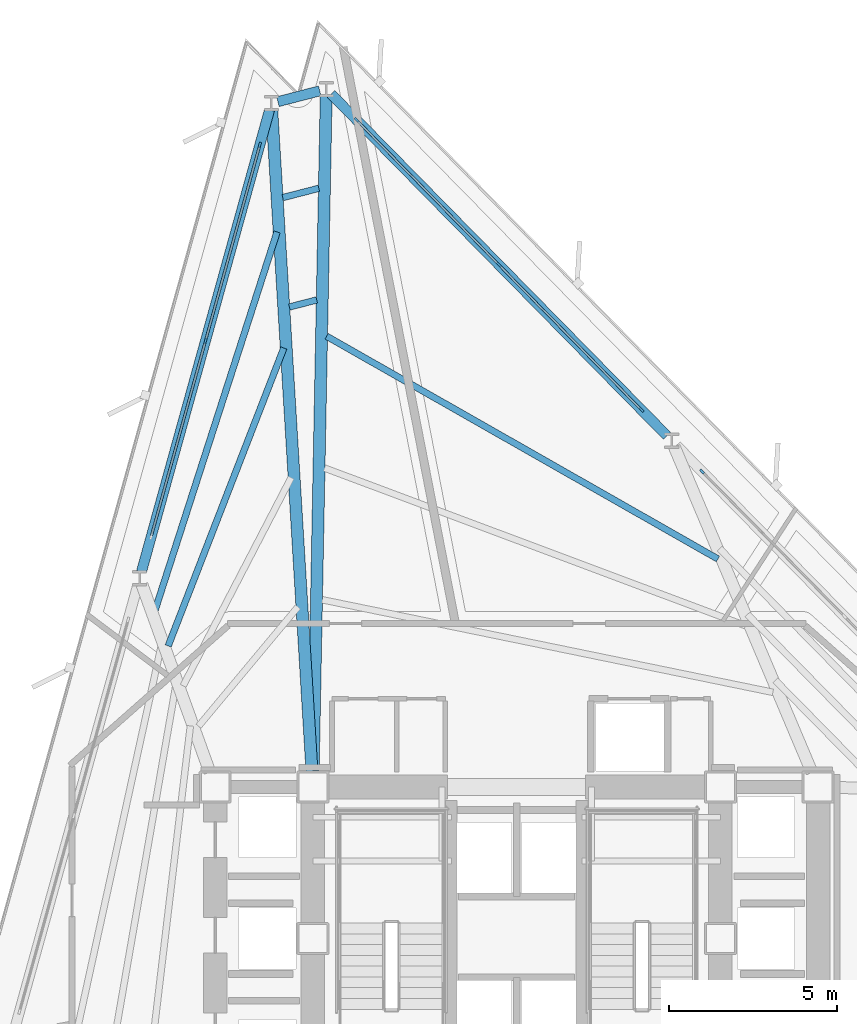
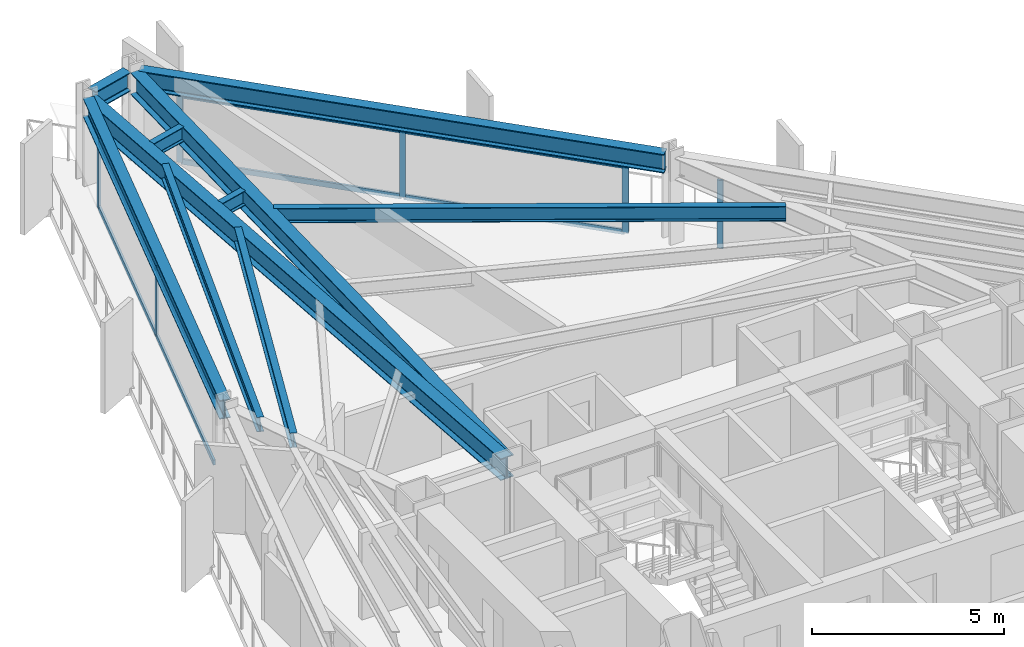
# One storey, part 5 of 11: 14 members, 10 beams, 3 elements without a shape of their own.
"""IFC4 building model written with IfcOpenShell, lengths in metres."""

from ifc_helpers import new_model, si_unit, direction, frame, origin, origin_2d, place, context, subcontext, project, spatial, rectangle, i_section, extrude, material, layer, layer_set, material_profile, profile_set, type_object, element, aggregate, save


model = new_model("IFC4")

# Units and contexts
model_context = context("Model", 3, precision=1e-05, world=origin(), true_north=direction((0.0, 1.0)))
body_context = subcontext(model_context, "Body", "Model", "MODEL_VIEW")
ifc_project = project(units=[si_unit("LENGTHUNIT", "METRE"), si_unit("AREAUNIT", "SQUARE_METRE"), si_unit("VOLUMEUNIT", "CUBIC_METRE"), si_unit("PLANEANGLEUNIT", "RADIAN"), si_unit("MASSUNIT", "GRAM", prefix="KILO")], contexts=[model_context])

# Site, building, storey
site_placement = place(None, origin())
site = spatial("IfcSite", under=ifc_project, at=site_placement, CompositionType="ELEMENT")
building_placement = place(site_placement, origin())
building = spatial("IfcBuilding", under=site, at=building_placement, Name="Rocaltana Carrier Exchange", CompositionType="ELEMENT")
storey_placement = place(building_placement, frame((0.0, 0.0, 79.52001953125)))
storey = spatial("IfcBuildingStorey", under=building, at=storey_placement, Name="L24", CompositionType="ELEMENT", Elevation=79.52001953125)

# Curtain wall, member
ifc_material_1 = material(Name="Aluminium 6063-T6", Category="aluminium")
ifc_layer = layer(ifc_material_1, 0.1650390625)
ifc_layer_set = layer_set([ifc_layer], Name="Aluminium 6063-T6")
curtain_wall_type = type_object("IfcCurtainWallType", Name="Lower-Mid Stepped Curtain Wall CW-02", PredefinedType="NOTDEFINED", material=ifc_layer_set)
curtain_wall_1_placement = place(storey_placement, origin())
curtain_wall_1 = element("IfcCurtainWall", 1, at=curtain_wall_1_placement, inside=storey, type_object=curtain_wall_type, Name="L24 CW-02 Run CW-L24-F1S2", PredefinedType="NOTDEFINED")
ifc_material_2 = material(Name="Aluminium 6063-T6", Category="aluminium")
ifc_material_profile_1 = material_profile(ifc_material_2, rectangle(XDim=0.06494140625, YDim=0.1650390625, at=origin_2d()), Name="AL-65X165")
ifc_profile_set_1 = profile_set([ifc_material_profile_1], Name="Aluminium 6063-T6")
member_type_1 = type_object("IfcMemberType", Name="CW-02 Mullion AL-65X165", PredefinedType="MULLION", material=ifc_profile_set_1)
member_1_placement = place(storey_placement, frame((5.503173828125, 13.8681640625, 0.0), z_axis=(0.0, 0.0, 1.0), x_axis=(-0.713244696676, -0.700915118017, 0.0)))
member_1 = element("IfcMember", 2, at=member_1_placement, type_object=member_type_1, Name="CW-02 mullion 3", PredefinedType="MULLION", context=body_context, shape_type="SweptSolid", body=[
    extrude(rectangle(XDim=0.06494140625, YDim=0.1650390625, at=origin_2d()), origin(), (0.0, 0.0, 1.0), 2.16796875),
])
aggregate(curtain_wall_1, [member_1])

# Curtain wall, members
curtain_wall_2_placement = place(storey_placement, origin())
curtain_wall_2 = element("IfcCurtainWall", 3, at=curtain_wall_2_placement, inside=storey, type_object=curtain_wall_type, Name="L24 CW-02 Run CW-L24-F1S3", PredefinedType="NOTDEFINED")
member_2_placement = place(storey_placement, frame((3.70556640625, 15.69775390625, 0.0), z_axis=(0.0, 0.0, 1.0), x_axis=(-0.713244767898, -0.700915045542, 0.0)))
member_2 = element("IfcMember", 4, at=member_2_placement, type_object=member_type_1, Name="CW-02 mullion 1", PredefinedType="MULLION", context=body_context, shape_type="SweptSolid", body=[
    extrude(rectangle(XDim=0.06494140625, YDim=0.1650390625, at=origin_2d()), origin(), (0.0, 0.0, 1.0), 2.16796875),
])
member_3_placement = place(storey_placement, frame((-0.52392578125, 20.001708984375, 0.0), z_axis=(0.0, 0.0, 1.0), x_axis=(-0.713244767898, -0.700915045542, 0.0)))
member_3 = element("IfcMember", 5, at=member_3_placement, type_object=member_type_1, Name="CW-02 mullion 2", PredefinedType="MULLION", context=body_context, shape_type="SweptSolid", body=[
    extrude(rectangle(XDim=0.06494140625, YDim=0.1650390625, at=origin_2d()), origin(), (0.0, 0.0, 1.0), 2.16796875),
])
member_4_placement = place(storey_placement, frame((-4.75341796875, 24.305419921875, 0.0), z_axis=(0.0, 0.0, 1.0), x_axis=(-0.713244767898, -0.700915045542, 0.0)))
member_4 = element("IfcMember", 6, at=member_4_placement, type_object=member_type_1, Name="CW-02 mullion 3", PredefinedType="MULLION", context=body_context, shape_type="SweptSolid", body=[
    extrude(rectangle(XDim=0.06494140625, YDim=0.1650390625, at=origin_2d()), origin(), (0.0, 0.0, 1.0), 2.16796875),
])

curtain_wall_3_placement = place(storey_placement, origin())
curtain_wall_3 = element("IfcCurtainWall", 7, at=curtain_wall_3_placement, inside=storey, type_object=curtain_wall_type, Name="L24 CW-02 Run CW-L24-F2S1", PredefinedType="NOTDEFINED")
member_5_placement = place(storey_placement, frame((-7.626220703125, 23.5625, 0.0), z_axis=(0.0, 0.0, 1.0), x_axis=(0.96362846453, -0.267245546918, 0.0)))
member_5 = element("IfcMember", 8, at=member_5_placement, type_object=member_type_1, Name="CW-02 mullion 1", PredefinedType="MULLION", context=body_context, shape_type="SweptSolid", body=[
    extrude(rectangle(XDim=0.06494140625, YDim=0.1650390625, at=origin_2d()), origin(), (0.0, 0.0, 1.0), 2.16796875),
])
member_6_placement = place(storey_placement, frame((-9.23876953125, 17.747802734375, 0.0), z_axis=(0.0, 0.0, 1.0), x_axis=(0.96362846453, -0.267245546918, 0.0)))
member_6 = element("IfcMember", 9, at=member_6_placement, type_object=member_type_1, Name="CW-02 mullion 2", PredefinedType="MULLION", context=body_context, shape_type="SweptSolid", body=[
    extrude(rectangle(XDim=0.06494140625, YDim=0.1650390625, at=origin_2d()), origin(), (0.0, 0.0, 1.0), 2.16796875),
])

# Member
ifc_material_3 = material(Name="Aluminium 6063-T6", Category="aluminium")
ifc_material_profile_2 = material_profile(ifc_material_3, rectangle(XDim=0.06494140625, YDim=0.1650390625, at=origin_2d()), Name="AL-65X165")
ifc_profile_set_2 = profile_set([ifc_material_profile_2], Name="Aluminium 6063-T6")
member_type_2 = type_object("IfcMemberType", Name="CW-02 Transom AL-65X165", PredefinedType="USERDEFINED", material=ifc_profile_set_2)
member_7_placement = place(storey_placement, frame((3.682861328125, 15.720947265625, 0.032470703125), z_axis=(-0.700924711343, 0.713235269058, 0.0), x_axis=(-0.713235269058, -0.700924711343, 0.0)))
member_7 = element("IfcMember", 10, at=member_7_placement, type_object=member_type_2, Name="CW-02 transom 1.1", ObjectType="TRANSOM", PredefinedType="USERDEFINED", context=body_context, shape_type="SweptSolid", body=[
    extrude(rectangle(XDim=0.06494140625, YDim=0.1650390625, at=origin_2d()), origin(), (0.0, 0.0, 1.0), 5.969482421875),
])

member_8_placement = place(storey_placement, frame((3.682861328125, 15.720947265625, 2.135498046875), z_axis=(-0.700924711343, 0.713235269058, 0.0), x_axis=(-0.713235269058, -0.700924711343, 0.0)))
member_8 = element("IfcMember", 11, at=member_8_placement, type_object=member_type_2, Name="CW-02 transom 1.2", ObjectType="TRANSOM", PredefinedType="USERDEFINED", context=body_context, shape_type="SweptSolid", body=[
    extrude(rectangle(XDim=0.06494140625, YDim=0.1650390625, at=origin_2d()), origin(), (0.0, 0.0, 1.0), 5.969482421875),
])

member_9_placement = place(storey_placement, frame((-0.546630859375, 20.02490234375, 0.032470703125), z_axis=(-0.700924352217, 0.713235621985, 0.0), x_axis=(-0.713235621985, -0.700924352217, 0.0)))
member_9 = element("IfcMember", 12, at=member_9_placement, type_object=member_type_2, Name="CW-02 transom 2.1", ObjectType="TRANSOM", PredefinedType="USERDEFINED", context=body_context, shape_type="SweptSolid", body=[
    extrude(rectangle(XDim=0.06494140625, YDim=0.1650390625, at=origin_2d()), origin(), (0.0, 0.0, 1.0), 5.968994140625),
])

member_10_placement = place(storey_placement, frame((-0.546630859375, 20.02490234375, 2.135498046875), z_axis=(-0.700924352217, 0.713235621985, 0.0), x_axis=(-0.713235621985, -0.700924352217, 0.0)))
member_10 = element("IfcMember", 13, at=member_10_placement, type_object=member_type_2, Name="CW-02 transom 2.2", ObjectType="TRANSOM", PredefinedType="USERDEFINED", context=body_context, shape_type="SweptSolid", body=[
    extrude(rectangle(XDim=0.06494140625, YDim=0.1650390625, at=origin_2d()), origin(), (0.0, 0.0, 1.0), 5.968994140625),
])

aggregate(curtain_wall_2, [member_2, member_3, member_4, member_7, member_8, member_9, member_10])

member_11_placement = place(storey_placement, frame((-7.634765625, 23.53125, 0.032470703125), z_axis=(-0.267274698809, -0.963620379287, 0.0), x_axis=(0.963620379287, -0.267274698809, 0.0)))
member_11 = element("IfcMember", 14, at=member_11_placement, type_object=member_type_2, Name="CW-02 transom 1.1", ObjectType="TRANSOM", PredefinedType="USERDEFINED", context=body_context, shape_type="SweptSolid", body=[
    extrude(rectangle(XDim=0.06494140625, YDim=0.1650390625, at=origin_2d()), origin(), (0.0, 0.0, 1.0), 5.96923828125),
])

member_12_placement = place(storey_placement, frame((-7.634765625, 23.53125, 2.135498046875), z_axis=(-0.267274698809, -0.963620379287, 0.0), x_axis=(0.963620379287, -0.267274698809, 0.0)))
member_12 = element("IfcMember", 15, at=member_12_placement, type_object=member_type_2, Name="CW-02 transom 1.2", ObjectType="TRANSOM", PredefinedType="USERDEFINED", context=body_context, shape_type="SweptSolid", body=[
    extrude(rectangle(XDim=0.06494140625, YDim=0.1650390625, at=origin_2d()), origin(), (0.0, 0.0, 1.0), 5.96923828125),
])

member_13_placement = place(storey_placement, frame((-9.24755859375, 17.716552734375, 0.032470703125), z_axis=(-0.267236720875, -0.963630912235, 0.0), x_axis=(0.963630912235, -0.267236720875, 0.0)))
member_13 = element("IfcMember", 16, at=member_13_placement, type_object=member_type_2, Name="CW-02 transom 2.1", ObjectType="TRANSOM", PredefinedType="USERDEFINED", context=body_context, shape_type="SweptSolid", body=[
    extrude(rectangle(XDim=0.06494140625, YDim=0.1650390625, at=origin_2d()), origin(), (0.0, 0.0, 1.0), 5.96923828125),
])

member_14_placement = place(storey_placement, frame((-9.24755859375, 17.716552734375, 2.135498046875), z_axis=(-0.267236720875, -0.963630912235, 0.0), x_axis=(0.963630912235, -0.267236720875, 0.0)))
member_14 = element("IfcMember", 17, at=member_14_placement, type_object=member_type_2, Name="CW-02 transom 2.2", ObjectType="TRANSOM", PredefinedType="USERDEFINED", context=body_context, shape_type="SweptSolid", body=[
    extrude(rectangle(XDim=0.06494140625, YDim=0.1650390625, at=origin_2d()), origin(), (0.0, 0.0, 1.0), 5.96923828125),
])

aggregate(curtain_wall_3, [member_5, member_6, member_11, member_12, member_13, member_14])

# Beams
ifc_material_4 = material(Name="Steel S355", Category="steel")
ifc_material_profile_3 = material_profile(ifc_material_4, i_section(OverallWidth=0.193115234375, OverallDepth=0.466064453125, WebThickness=0.011474609375, FlangeThickness=0.01904296875, FilletRadius=0.013916015625, at=origin_2d()), Name="W18X65")
ifc_profile_set_3 = profile_set([ifc_material_profile_3], Name="Steel S355")
beam_type_1 = type_object("IfcBeamType", Name="Floor Joist W18X65", PredefinedType="JOIST", material=ifc_profile_set_3)
beam_1_placement = place(storey_placement, frame((5.976318359375, 11.268798828125, 2.554931640625), z_axis=(-0.869038762024, 0.494744004613, 0.0), x_axis=(-0.494744004613, -0.869038762024, 0.0)))
element("IfcBeam", 18, at=beam_1_placement, inside=storey, type_object=beam_type_1, Name="FJ-L24-03-3", PredefinedType="JOIST", context=body_context, shape_type="SweptSolid", body=[
    extrude(i_section(OverallWidth=0.193115234375, OverallDepth=0.466064453125, WebThickness=0.011474609375, FlangeThickness=0.01904296875, FilletRadius=0.013916015625, at=origin_2d()), origin(), (0.0, 0.0, 1.0), 13.36962890625),
])
beam_2_placement = place(storey_placement, frame((-5.9375, 18.961181640625, 2.554931640625), z_axis=(-0.968135931974, -0.250425272727, 0.0), x_axis=(0.250425272727, -0.968135931974, 0.0)))
element("IfcBeam", 19, at=beam_2_placement, inside=storey, type_object=beam_type_1, Name="FJ-L24-04-3", PredefinedType="JOIST", context=body_context, shape_type="SweptSolid", body=[
    extrude(i_section(OverallWidth=0.193115234375, OverallDepth=0.466064453125, WebThickness=0.011474609375, FlangeThickness=0.01904296875, FilletRadius=0.013916015625, at=origin_2d()), origin(), (0.0, 0.0, 1.0), 0.83642578125),
])
beam_3_placement = place(storey_placement, frame((-5.873779296875, 22.2763671875, 2.554931640625), z_axis=(-0.968177342662, -0.25026512573, 0.0), x_axis=(0.25026512573, -0.968177342662, 0.0)))
element("IfcBeam", 20, at=beam_3_placement, inside=storey, type_object=beam_type_1, Name="FJ-L24-04-4", PredefinedType="JOIST", context=body_context, shape_type="SweptSolid", body=[
    extrude(i_section(OverallWidth=0.193115234375, OverallDepth=0.466064453125, WebThickness=0.011474609375, FlangeThickness=0.01904296875, FilletRadius=0.013916015625, at=origin_2d()), origin(), (0.0, 0.0, 1.0), 1.106201171875),
])
beam_4_placement = place(storey_placement, frame((-6.913818359375, 17.533935546875, 2.554931640625), z_axis=(-0.361784373261, -0.93226180189, 0.0), x_axis=(0.93226180189, -0.361784373261, 0.0)))
element("IfcBeam", 21, at=beam_4_placement, inside=storey, type_object=beam_type_1, Name="FJ-L24-05-3", PredefinedType="JOIST", context=body_context, shape_type="SweptSolid", body=[
    extrude(i_section(OverallWidth=0.193115234375, OverallDepth=0.466064453125, WebThickness=0.011474609375, FlangeThickness=0.01904296875, FilletRadius=0.013916015625, at=origin_2d()), origin(), (0.0, 0.0, 1.0), 9.48876953125),
])
beam_5_placement = place(storey_placement, frame((-7.114013671875, 20.9814453125, 2.554931640625), z_axis=(-0.306913359242, -0.951737458504, 0.0), x_axis=(0.951737458504, -0.306913359242, 0.0)))
element("IfcBeam", 22, at=beam_5_placement, inside=storey, type_object=beam_type_1, Name="FJ-L24-05-4", PredefinedType="JOIST", context=body_context, shape_type="SweptSolid", body=[
    extrude(i_section(OverallWidth=0.193115234375, OverallDepth=0.466064453125, WebThickness=0.011474609375, FlangeThickness=0.01904296875, FilletRadius=0.013916015625, at=origin_2d()), origin(), (0.0, 0.0, 1.0), 11.806396484375),
])
ifc_material_5 = material(Name="Steel S355", Category="steel")
ifc_material_profile_4 = material_profile(ifc_material_5, i_section(OverallWidth=0.35498046875, OverallDepth=0.695068359375, WebThickness=0.015380859375, FlangeThickness=0.02490234375, FilletRadius=0.01806640625, at=origin_2d()), Name="W27X146")
ifc_profile_set_4 = profile_set([ifc_material_profile_4], Name="Steel S355")
beam_type_2 = type_object("IfcBeamType", Name="Radial Girder W27X146", PredefinedType="BEAM", material=ifc_profile_set_4)
beam_6_placement = place(storey_placement, frame((-6.041015625, 4.966796875, 2.4404296875), z_axis=(0.019196559381, 0.999815729076, 0.0), x_axis=(-0.999815729076, 0.019196559381, 0.0)))
element("IfcBeam", 23, at=beam_6_placement, inside=storey, type_object=beam_type_2, Name="RG-L24-04", PredefinedType="BEAM", context=body_context, shape_type="SweptSolid", body=[
    extrude(i_section(OverallWidth=0.35498046875, OverallDepth=0.695068359375, WebThickness=0.015380859375, FlangeThickness=0.02490234375, FilletRadius=0.01806640625, at=origin_2d()), origin(), (0.0, 0.0, 1.0), 20.05615234375),
])
beam_7_placement = place(storey_placement, frame((-6.078369140625, 4.966064453125, 2.4404296875), z_axis=(-0.060650968736, 0.99815903542, 0.0), x_axis=(-0.99815903542, -0.060650968736, 0.0)))
element("IfcBeam", 24, at=beam_7_placement, inside=storey, type_object=beam_type_2, Name="RG-L24-05", PredefinedType="BEAM", context=body_context, shape_type="SweptSolid", body=[
    extrude(i_section(OverallWidth=0.35498046875, OverallDepth=0.695068359375, WebThickness=0.015380859375, FlangeThickness=0.02490234375, FilletRadius=0.01806640625, at=origin_2d()), origin(), (0.0, 0.0, 1.0), 19.667724609375),
])
ifc_material_6 = material(Name="Steel S355", Category="steel")
ifc_material_profile_5 = material_profile(ifc_material_6, i_section(OverallWidth=0.300048828125, OverallDepth=0.60009765625, WebThickness=0.015380859375, FlangeThickness=0.030029296875, FilletRadius=0.027099609375, at=origin_2d()), Name="HEB600")
ifc_profile_set_5 = profile_set([ifc_material_profile_5], Name="Steel S355")
beam_type_3 = type_object("IfcBeamType", Name="Spandrel Edge Beam HEB600", PredefinedType="SPANDREL", material=ifc_profile_set_5)
beam_8_placement = place(storey_placement, frame((4.46337890625, 14.926513671875, 2.488037109375), z_axis=(-0.700903840952, 0.713255778623, 0.0), x_axis=(-0.713255778623, -0.700903840952, 0.0)))
element("IfcBeam", 25, at=beam_8_placement, inside=storey, type_object=beam_type_3, Name="SP-L24-03", PredefinedType="SPANDREL", context=body_context, shape_type="SweptSolid", body=[
    extrude(i_section(OverallWidth=0.300048828125, OverallDepth=0.60009765625, WebThickness=0.015380859375, FlangeThickness=0.030029296875, FilletRadius=0.027099609375, at=origin_2d()), origin(), (0.0, 0.0, 1.0), 14.23095703125),
])
beam_9_placement = place(storey_placement, frame((-5.8466796875, 25.169921875, 2.488037109375), z_axis=(-0.96814054922, -0.250407421929, 0.0), x_axis=(0.250407421929, -0.96814054922, 0.0)))
element("IfcBeam", 26, at=beam_9_placement, inside=storey, type_object=beam_type_3, Name="SP-L24-04", PredefinedType="SPANDREL", context=body_context, shape_type="SweptSolid", body=[
    extrude(i_section(OverallWidth=0.300048828125, OverallDepth=0.60009765625, WebThickness=0.015380859375, FlangeThickness=0.030029296875, FilletRadius=0.027099609375, at=origin_2d()), origin(), (0.0, 0.0, 1.0), 1.282958984375),
])
beam_10_placement = place(storey_placement, frame((-7.337158203125, 24.6044921875, 2.488037109375), z_axis=(-0.267244796471, -0.963628672653, 0.0), x_axis=(0.963628672653, -0.267244796471, 0.0)))
element("IfcBeam", 27, at=beam_10_placement, inside=storey, type_object=beam_type_3, Name="SP-L24-05", PredefinedType="SPANDREL", context=body_context, shape_type="SweptSolid", body=[
    extrude(i_section(OverallWidth=0.300048828125, OverallDepth=0.60009765625, WebThickness=0.015380859375, FlangeThickness=0.030029296875, FilletRadius=0.027099609375, at=origin_2d()), origin(), (0.0, 0.0, 1.0), 14.231201171875),
])

save(model, "model.ifc")
